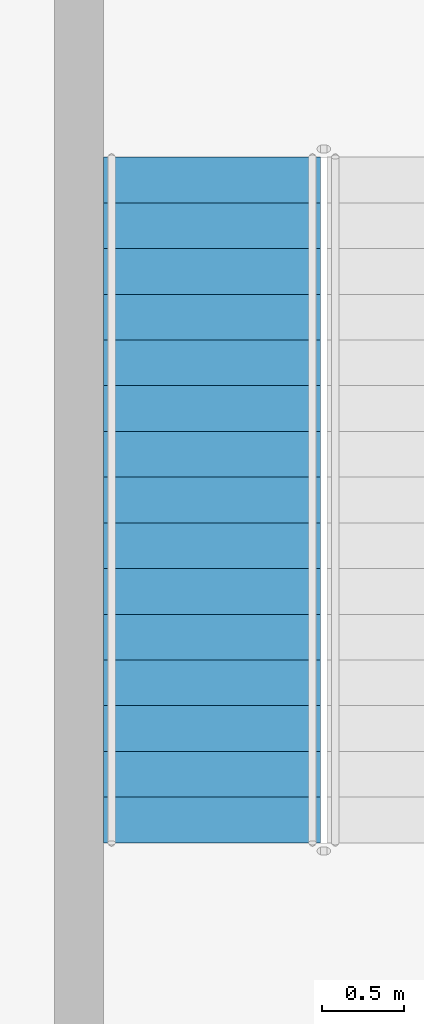
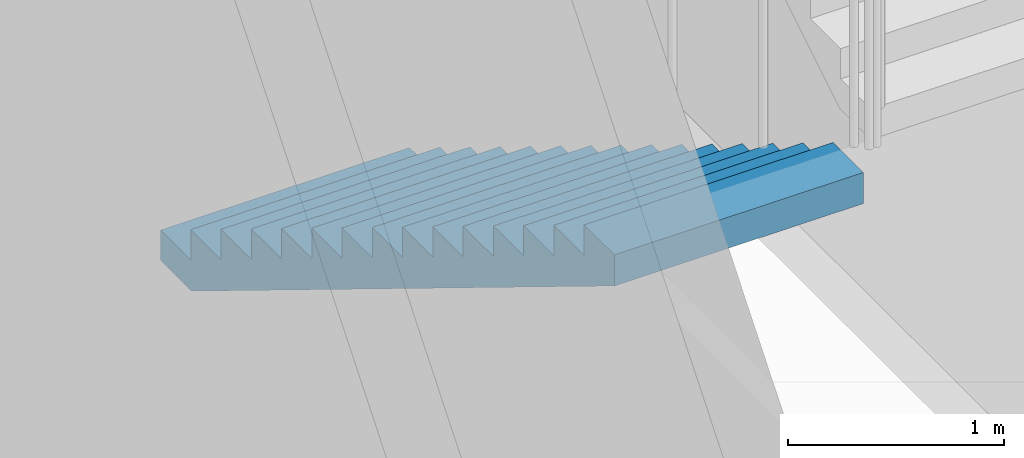
# One storey, part 5 of 14: 1 stair flight, 1 element without a shape of its own.
"""IFC4 building model written with IfcOpenShell, lengths in metres."""

from ifc_helpers import new_model, si_unit, direction, frame, origin, place, context, subcontext, project, spatial, triangles, source, transform, mapped, material, type_object, element, aggregate, save


model = new_model("IFC4")

# Units and contexts
model_context = context("Model", 3, precision=1e-05, world=origin(), true_north=direction((0.0, 1.0)))
body_context = subcontext(model_context, "Body", "Model", "MODEL_VIEW")
ifc_project = project(units=[si_unit("LENGTHUNIT", "METRE"), si_unit("AREAUNIT", "SQUARE_METRE"), si_unit("VOLUMEUNIT", "CUBIC_METRE"), si_unit("PLANEANGLEUNIT", "RADIAN"), si_unit("MASSUNIT", "GRAM", prefix="KILO")], contexts=[model_context])

# Site, building, storey
site_placement = place(None, origin())
site = spatial("IfcSite", under=ifc_project, at=site_placement, CompositionType="ELEMENT")
building_placement = place(site_placement, origin())
building = spatial("IfcBuilding", under=site, at=building_placement, Name="Ogive Portal Towers", CompositionType="ELEMENT")
storey_placement = place(building_placement, frame((0.0, 0.0, 243.89990234375)))
storey = spatial("IfcBuildingStorey", under=building, at=storey_placement, Name="L61", CompositionType="ELEMENT", Elevation=243.89990234375)

# Stair, stair flight
ifc_material = material(Name="Concrete C40/50", Category="concrete")
stair_type = type_object("IfcStairType", Name="INT-STAIR", PredefinedType="HALF_TURN_STAIR", material=ifc_material)
stair_placement = place(storey_placement, origin())
stair = element("IfcStair", 1, at=stair_placement, inside=storey, type_object=stair_type, Name="L61 Exit Stair ST-A4", PredefinedType="HALF_TURN_STAIR")
stair_flight_type = type_object("IfcStairFlightType", Name="INT-FLIGHT", PredefinedType="STRAIGHT", material=ifc_material)
shared_shape = source(origin(), body_context, "Body", "Tessellation", [
    triangles([(0.0, -0.6650390625, 0.0), (0.0, -0.384765625, 0.0), (0.0, -0.197021484375, 0.0), (0.0, -0.0830078125, 0.0), (0.0, -0.024658203125, 0.0), (0.0, -0.003173828125, 0.0), (0.0, 0.0, 0.0), (0.0, 0.003173828125, 0.0), (0.0, 0.024658203125, 0.0), (0.0, 0.0830078125, 0.0), (0.0, 0.197021484375, 0.0), (0.0, 0.384765625, 0.0), (0.0, 0.6650390625, 0.0), (0.0, -0.6650390625, 0.171875), (0.0, -0.384765625, 0.171875), (0.0, -0.197021484375, 0.171875), (0.0, -0.0830078125, 0.171875), (0.0, -0.024658203125, 0.171875), (0.0, -0.003173828125, 0.171875), (0.0, 0.0, 0.171875), (0.0, 0.003173828125, 0.171875), (0.0, 0.024658203125, 0.171875), (0.0, 0.0830078125, 0.171875), (0.0, 0.197021484375, 0.171875), (0.0, 0.384765625, 0.171875), (0.0, 0.6650390625, 0.171875), (0.280029296875, -0.6650390625, 0.171875), (0.280029296875, -0.384765625, 0.171875), (0.280029296875, -0.197021484375, 0.171875), (0.280029296875, -0.0830078125, 0.171875), (0.280029296875, -0.024658203125, 0.171875), (0.280029296875, -0.003173828125, 0.171875), (0.280029296875, 0.0, 0.171875), (0.280029296875, 0.003173828125, 0.171875), (0.280029296875, 0.024658203125, 0.171875), (0.280029296875, 0.0830078125, 0.171875), (0.280029296875, 0.197021484375, 0.171875), (0.280029296875, 0.384765625, 0.171875), (0.280029296875, 0.6650390625, 0.171875), (0.280029296875, -0.6650390625, 0.34375), (0.280029296875, -0.384765625, 0.34375), (0.280029296875, -0.197021484375, 0.34375), (0.280029296875, -0.0830078125, 0.34375), (0.280029296875, -0.024658203125, 0.34375), (0.280029296875, -0.003173828125, 0.34375), (0.280029296875, 0.0, 0.34375), (0.280029296875, 0.003173828125, 0.34375), (0.280029296875, 0.024658203125, 0.34375), (0.280029296875, 0.0830078125, 0.34375), (0.280029296875, 0.197021484375, 0.34375), (0.280029296875, 0.384765625, 0.34375), (0.280029296875, 0.6650390625, 0.34375), (0.56005859375, -0.6650390625, 0.34375), (0.56005859375, -0.384765625, 0.34375), (0.56005859375, -0.197021484375, 0.34375), (0.56005859375, -0.0830078125, 0.34375), (0.56005859375, -0.024658203125, 0.34375), (0.56005859375, -0.003173828125, 0.34375), (0.56005859375, 0.0, 0.34375), (0.56005859375, 0.003173828125, 0.34375), (0.56005859375, 0.024658203125, 0.34375), (0.56005859375, 0.0830078125, 0.34375), (0.56005859375, 0.197021484375, 0.34375), (0.56005859375, 0.384765625, 0.34375), (0.56005859375, 0.6650390625, 0.34375), (0.56005859375, -0.6650390625, 0.515625), (0.56005859375, -0.384765625, 0.515625), (0.56005859375, -0.197021484375, 0.515625), (0.56005859375, -0.0830078125, 0.515625), (0.56005859375, -0.024658203125, 0.515625), (0.56005859375, -0.003173828125, 0.515625), (0.56005859375, 0.0, 0.515625), (0.56005859375, 0.003173828125, 0.515625), (0.56005859375, 0.024658203125, 0.515625), (0.56005859375, 0.0830078125, 0.515625), (0.56005859375, 0.197021484375, 0.515625), (0.56005859375, 0.384765625, 0.515625), (0.56005859375, 0.6650390625, 0.515625), (0.840087890625, -0.6650390625, 0.515625), (0.840087890625, -0.384765625, 0.515625), (0.840087890625, -0.197021484375, 0.515625), (0.840087890625, -0.0830078125, 0.515625), (0.840087890625, -0.024658203125, 0.515625), (0.840087890625, -0.003173828125, 0.515625), (0.840087890625, 0.0, 0.515625), (0.840087890625, 0.003173828125, 0.515625), (0.840087890625, 0.024658203125, 0.515625), (0.840087890625, 0.0830078125, 0.515625), (0.840087890625, 0.197021484375, 0.515625), (0.840087890625, 0.384765625, 0.515625), (0.840087890625, 0.6650390625, 0.515625), (0.840087890625, -0.6650390625, 0.6875), (0.840087890625, -0.384765625, 0.6875), (0.840087890625, -0.197021484375, 0.6875), (0.840087890625, -0.0830078125, 0.6875), (0.840087890625, -0.024658203125, 0.6875), (0.840087890625, -0.003173828125, 0.6875), (0.840087890625, 0.0, 0.6875), (0.840087890625, 0.003173828125, 0.6875), (0.840087890625, 0.024658203125, 0.6875), (0.840087890625, 0.0830078125, 0.6875), (0.840087890625, 0.197021484375, 0.6875), (0.840087890625, 0.384765625, 0.6875), (0.840087890625, 0.6650390625, 0.6875), (1.1201171875, -0.6650390625, 0.6875), (1.1201171875, -0.384765625, 0.6875), (1.1201171875, -0.197021484375, 0.6875), (1.1201171875, -0.0830078125, 0.6875), (1.1201171875, -0.024658203125, 0.6875), (1.1201171875, -0.003173828125, 0.6875), (1.1201171875, 0.0, 0.6875), (1.1201171875, 0.003173828125, 0.6875), (1.1201171875, 0.024658203125, 0.6875), (1.1201171875, 0.0830078125, 0.6875), (1.1201171875, 0.197021484375, 0.6875), (1.1201171875, 0.384765625, 0.6875), (1.1201171875, 0.6650390625, 0.6875), (1.1201171875, -0.6650390625, 0.859375), (1.1201171875, -0.384765625, 0.859375), (1.1201171875, -0.197021484375, 0.859375), (1.1201171875, -0.0830078125, 0.859375), (1.1201171875, -0.024658203125, 0.859375), (1.1201171875, -0.003173828125, 0.859375), (1.1201171875, 0.0, 0.859375), (1.1201171875, 0.003173828125, 0.859375), (1.1201171875, 0.024658203125, 0.859375), (1.1201171875, 0.0830078125, 0.859375), (1.1201171875, 0.197021484375, 0.859375), (1.1201171875, 0.384765625, 0.859375), (1.1201171875, 0.6650390625, 0.859375), (1.39990234375, -0.6650390625, 0.859375), (1.39990234375, -0.384765625, 0.859375), (1.39990234375, -0.197021484375, 0.859375), (1.39990234375, -0.0830078125, 0.859375), (1.39990234375, -0.024658203125, 0.859375), (1.39990234375, -0.003173828125, 0.859375), (1.39990234375, 0.0, 0.859375), (1.39990234375, 0.003173828125, 0.859375), (1.39990234375, 0.024658203125, 0.859375), (1.39990234375, 0.0830078125, 0.859375), (1.39990234375, 0.197021484375, 0.859375), (1.39990234375, 0.384765625, 0.859375), (1.39990234375, 0.6650390625, 0.859375), (1.39990234375, -0.6650390625, 1.03125), (1.39990234375, -0.384765625, 1.03125), (1.39990234375, -0.197021484375, 1.03125), (1.39990234375, -0.0830078125, 1.03125), (1.39990234375, -0.024658203125, 1.03125), (1.39990234375, -0.003173828125, 1.03125), (1.39990234375, 0.0, 1.03125), (1.39990234375, 0.003173828125, 1.03125), (1.39990234375, 0.024658203125, 1.03125), (1.39990234375, 0.0830078125, 1.03125), (1.39990234375, 0.197021484375, 1.03125), (1.39990234375, 0.384765625, 1.03125), (1.39990234375, 0.6650390625, 1.03125), (1.679931640625, -0.6650390625, 1.03125), (1.679931640625, -0.384765625, 1.03125), (1.679931640625, -0.197021484375, 1.03125), (1.679931640625, -0.0830078125, 1.03125), (1.679931640625, -0.024658203125, 1.03125), (1.679931640625, -0.003173828125, 1.03125), (1.679931640625, 0.0, 1.03125), (1.679931640625, 0.003173828125, 1.03125), (1.679931640625, 0.024658203125, 1.03125), (1.679931640625, 0.0830078125, 1.03125), (1.679931640625, 0.197021484375, 1.03125), (1.679931640625, 0.384765625, 1.03125), (1.679931640625, 0.6650390625, 1.03125), (1.679931640625, -0.6650390625, 1.203125), (1.679931640625, -0.384765625, 1.203125), (1.679931640625, -0.197021484375, 1.203125), (1.679931640625, -0.0830078125, 1.203125), (1.679931640625, -0.024658203125, 1.203125), (1.679931640625, -0.003173828125, 1.203125), (1.679931640625, 0.0, 1.203125), (1.679931640625, 0.003173828125, 1.203125), (1.679931640625, 0.024658203125, 1.203125), (1.679931640625, 0.0830078125, 1.203125), (1.679931640625, 0.197021484375, 1.203125), (1.679931640625, 0.384765625, 1.203125), (1.679931640625, 0.6650390625, 1.203125), (1.9599609375, -0.6650390625, 1.203125), (1.9599609375, -0.384765625, 1.203125), (1.9599609375, -0.197021484375, 1.203125), (1.9599609375, -0.0830078125, 1.203125), (1.9599609375, -0.024658203125, 1.203125), (1.9599609375, -0.003173828125, 1.203125), (1.9599609375, 0.0, 1.203125), (1.9599609375, 0.003173828125, 1.203125), (1.9599609375, 0.024658203125, 1.203125), (1.9599609375, 0.0830078125, 1.203125), (1.9599609375, 0.197021484375, 1.203125), (1.9599609375, 0.384765625, 1.203125), (1.9599609375, 0.6650390625, 1.203125), (1.9599609375, -0.6650390625, 1.375), (1.9599609375, -0.384765625, 1.375), (1.9599609375, -0.197021484375, 1.375), (1.9599609375, -0.0830078125, 1.375), (1.9599609375, -0.024658203125, 1.375), (1.9599609375, -0.003173828125, 1.375), (1.9599609375, 0.0, 1.375), (1.9599609375, 0.003173828125, 1.375), (1.9599609375, 0.024658203125, 1.375), (1.9599609375, 0.0830078125, 1.375), (1.9599609375, 0.197021484375, 1.375), (1.9599609375, 0.384765625, 1.375), (1.9599609375, 0.6650390625, 1.375), (2.239990234375, -0.6650390625, 1.375), (2.239990234375, -0.384765625, 1.375), (2.239990234375, -0.197021484375, 1.375), (2.239990234375, -0.0830078125, 1.375), (2.239990234375, -0.024658203125, 1.375), (2.239990234375, -0.003173828125, 1.375), (2.239990234375, 0.0, 1.375), (2.239990234375, 0.003173828125, 1.375), (2.239990234375, 0.024658203125, 1.375), (2.239990234375, 0.0830078125, 1.375), (2.239990234375, 0.197021484375, 1.375), (2.239990234375, 0.384765625, 1.375), (2.239990234375, 0.6650390625, 1.375), (2.239990234375, -0.6650390625, 1.546875), (2.239990234375, -0.384765625, 1.546875), (2.239990234375, -0.197021484375, 1.546875), (2.239990234375, -0.0830078125, 1.546875), (2.239990234375, -0.024658203125, 1.546875), (2.239990234375, -0.003173828125, 1.546875), (2.239990234375, 0.0, 1.546875), (2.239990234375, 0.003173828125, 1.546875), (2.239990234375, 0.024658203125, 1.546875), (2.239990234375, 0.0830078125, 1.546875), (2.239990234375, 0.197021484375, 1.546875), (2.239990234375, 0.384765625, 1.546875), (2.239990234375, 0.6650390625, 1.546875), (2.52001953125, -0.6650390625, 1.546875), (2.52001953125, -0.384765625, 1.546875), (2.52001953125, -0.197021484375, 1.546875), (2.52001953125, -0.0830078125, 1.546875), (2.52001953125, -0.024658203125, 1.546875), (2.52001953125, -0.003173828125, 1.546875), (2.52001953125, 0.0, 1.546875), (2.52001953125, 0.003173828125, 1.546875), (2.52001953125, 0.024658203125, 1.546875), (2.52001953125, 0.0830078125, 1.546875), (2.52001953125, 0.197021484375, 1.546875), (2.52001953125, 0.384765625, 1.546875), (2.52001953125, 0.6650390625, 1.546875), (2.52001953125, -0.6650390625, 1.71875), (2.52001953125, -0.384765625, 1.71875), (2.52001953125, -0.197021484375, 1.71875), (2.52001953125, -0.0830078125, 1.71875), (2.52001953125, -0.024658203125, 1.71875), (2.52001953125, -0.003173828125, 1.71875), (2.52001953125, 0.0, 1.71875), (2.52001953125, 0.003173828125, 1.71875), (2.52001953125, 0.024658203125, 1.71875), (2.52001953125, 0.0830078125, 1.71875), (2.52001953125, 0.197021484375, 1.71875), (2.52001953125, 0.384765625, 1.71875), (2.52001953125, 0.6650390625, 1.71875), (2.800048828125, -0.6650390625, 1.71875), (2.800048828125, -0.384765625, 1.71875), (2.800048828125, -0.197021484375, 1.71875), (2.800048828125, -0.0830078125, 1.71875), (2.800048828125, -0.024658203125, 1.71875), (2.800048828125, -0.003173828125, 1.71875), (2.800048828125, 0.0, 1.71875), (2.800048828125, 0.003173828125, 1.71875), (2.800048828125, 0.024658203125, 1.71875), (2.800048828125, 0.0830078125, 1.71875), (2.800048828125, 0.197021484375, 1.71875), (2.800048828125, 0.384765625, 1.71875), (2.800048828125, 0.6650390625, 1.71875), (2.800048828125, -0.6650390625, 1.890625), (2.800048828125, -0.384765625, 1.890625), (2.800048828125, -0.197021484375, 1.890625), (2.800048828125, -0.0830078125, 1.890625), (2.800048828125, -0.024658203125, 1.890625), (2.800048828125, -0.003173828125, 1.890625), (2.800048828125, 0.0, 1.890625), (2.800048828125, 0.003173828125, 1.890625), (2.800048828125, 0.024658203125, 1.890625), (2.800048828125, 0.0830078125, 1.890625), (2.800048828125, 0.197021484375, 1.890625), (2.800048828125, 0.384765625, 1.890625), (2.800048828125, 0.6650390625, 1.890625), (3.080078125, -0.6650390625, 1.890625), (3.080078125, -0.384765625, 1.890625), (3.080078125, -0.197021484375, 1.890625), (3.080078125, -0.0830078125, 1.890625), (3.080078125, -0.024658203125, 1.890625), (3.080078125, -0.003173828125, 1.890625), (3.080078125, 0.0, 1.890625), (3.080078125, 0.003173828125, 1.890625), (3.080078125, 0.024658203125, 1.890625), (3.080078125, 0.0830078125, 1.890625), (3.080078125, 0.197021484375, 1.890625), (3.080078125, 0.384765625, 1.890625), (3.080078125, 0.6650390625, 1.890625), (3.080078125, -0.6650390625, 2.0625), (3.080078125, -0.384765625, 2.0625), (3.080078125, -0.197021484375, 2.0625), (3.080078125, -0.0830078125, 2.0625), (3.080078125, -0.024658203125, 2.0625), (3.080078125, -0.003173828125, 2.0625), (3.080078125, 0.0, 2.0625), (3.080078125, 0.003173828125, 2.0625), (3.080078125, 0.024658203125, 2.0625), (3.080078125, 0.0830078125, 2.0625), (3.080078125, 0.197021484375, 2.0625), (3.080078125, 0.384765625, 2.0625), (3.080078125, 0.6650390625, 2.0625), (3.360107421875, -0.6650390625, 2.0625), (3.360107421875, -0.384765625, 2.0625), (3.360107421875, -0.197021484375, 2.0625), (3.360107421875, -0.0830078125, 2.0625), (3.360107421875, -0.024658203125, 2.0625), (3.360107421875, -0.003173828125, 2.0625), (3.360107421875, 0.0, 2.0625), (3.360107421875, 0.003173828125, 2.0625), (3.360107421875, 0.024658203125, 2.0625), (3.360107421875, 0.0830078125, 2.0625), (3.360107421875, 0.197021484375, 2.0625), (3.360107421875, 0.384765625, 2.0625), (3.360107421875, 0.6650390625, 2.0625), (3.360107421875, -0.6650390625, 2.234375), (3.360107421875, -0.384765625, 2.234375), (3.360107421875, -0.197021484375, 2.234375), (3.360107421875, -0.0830078125, 2.234375), (3.360107421875, -0.024658203125, 2.234375), (3.360107421875, -0.003173828125, 2.234375), (3.360107421875, 0.0, 2.234375), (3.360107421875, 0.003173828125, 2.234375), (3.360107421875, 0.024658203125, 2.234375), (3.360107421875, 0.0830078125, 2.234375), (3.360107421875, 0.197021484375, 2.234375), (3.360107421875, 0.384765625, 2.234375), (3.360107421875, 0.6650390625, 2.234375), (3.639892578125, -0.6650390625, 2.234375), (3.639892578125, -0.384765625, 2.234375), (3.639892578125, -0.197021484375, 2.234375), (3.639892578125, -0.0830078125, 2.234375), (3.639892578125, -0.024658203125, 2.234375), (3.639892578125, -0.003173828125, 2.234375), (3.639892578125, 0.0, 2.234375), (3.639892578125, 0.003173828125, 2.234375), (3.639892578125, 0.024658203125, 2.234375), (3.639892578125, 0.0830078125, 2.234375), (3.639892578125, 0.197021484375, 2.234375), (3.639892578125, 0.384765625, 2.234375), (3.639892578125, 0.6650390625, 2.234375), (3.639892578125, -0.6650390625, 2.40625), (3.639892578125, -0.384765625, 2.40625), (3.639892578125, -0.197021484375, 2.40625), (3.639892578125, -0.0830078125, 2.40625), (3.639892578125, -0.024658203125, 2.40625), (3.639892578125, -0.003173828125, 2.40625), (3.639892578125, 0.0, 2.40625), (3.639892578125, 0.003173828125, 2.40625), (3.639892578125, 0.024658203125, 2.40625), (3.639892578125, 0.0830078125, 2.40625), (3.639892578125, 0.197021484375, 2.40625), (3.639892578125, 0.384765625, 2.40625), (3.639892578125, 0.6650390625, 2.40625), (3.919921875, -0.6650390625, 2.40625), (3.919921875, -0.384765625, 2.40625), (3.919921875, -0.197021484375, 2.40625), (3.919921875, -0.0830078125, 2.40625), (3.919921875, -0.024658203125, 2.40625), (3.919921875, -0.003173828125, 2.40625), (3.919921875, 0.0, 2.40625), (3.919921875, 0.003173828125, 2.40625), (3.919921875, 0.024658203125, 2.40625), (3.919921875, 0.0830078125, 2.40625), (3.919921875, 0.197021484375, 2.40625), (3.919921875, 0.384765625, 2.40625), (3.919921875, 0.6650390625, 2.40625), (3.919921875, -0.6650390625, 2.578125), (3.919921875, -0.384765625, 2.578125), (3.919921875, -0.197021484375, 2.578125), (3.919921875, -0.0830078125, 2.578125), (3.919921875, -0.024658203125, 2.578125), (3.919921875, -0.003173828125, 2.578125), (3.919921875, 0.0, 2.578125), (3.919921875, 0.003173828125, 2.578125), (3.919921875, 0.024658203125, 2.578125), (3.919921875, 0.0830078125, 2.578125), (3.919921875, 0.197021484375, 2.578125), (3.919921875, 0.384765625, 2.578125), (3.919921875, 0.6650390625, 2.578125), (4.199951171875, -0.6650390625, 2.578125), (4.199951171875, -0.384765625, 2.578125), (4.199951171875, -0.197021484375, 2.578125), (4.199951171875, -0.0830078125, 2.578125), (4.199951171875, -0.024658203125, 2.578125), (4.199951171875, -0.003173828125, 2.578125), (4.199951171875, 0.0, 2.578125), (4.199951171875, 0.003173828125, 2.578125), (4.199951171875, 0.024658203125, 2.578125), (4.199951171875, 0.0830078125, 2.578125), (4.199951171875, 0.197021484375, 2.578125), (4.199951171875, 0.384765625, 2.578125), (4.199951171875, 0.6650390625, 2.578125), (4.199951171875, -0.6650390625, 2.40234375), (4.199951171875, -0.384765625, 2.40234375), (4.199951171875, -0.197021484375, 2.40234375), (4.199951171875, -0.0830078125, 2.40234375), (4.199951171875, -0.024658203125, 2.40234375), (4.199951171875, -0.003173828125, 2.40234375), (4.199951171875, 0.0, 2.40234375), (4.199951171875, 0.003173828125, 2.40234375), (4.199951171875, 0.024658203125, 2.40234375), (4.199951171875, 0.0830078125, 2.40234375), (4.199951171875, 0.197021484375, 2.40234375), (4.199951171875, 0.384765625, 2.40234375), (4.199951171875, 0.6650390625, 2.40234375), (0.28662109375, -0.6650390625, 0.0), (0.28662109375, -0.384765625, 0.0), (0.28662109375, -0.197021484375, 0.0), (0.28662109375, -0.0830078125, 0.0), (0.28662109375, -0.024658203125, 0.0), (0.28662109375, -0.003173828125, 0.0), (0.28662109375, 0.0, 0.0), (0.28662109375, 0.003173828125, 0.0), (0.28662109375, 0.024658203125, 0.0), (0.28662109375, 0.0830078125, 0.0), (0.28662109375, 0.197021484375, 0.0), (0.28662109375, 0.384765625, 0.0), (0.28662109375, 0.6650390625, 0.0)], [[1, 14, 15], [1, 15, 2], [2, 15, 16], [2, 16, 3], [3, 16, 17], [3, 17, 4], [4, 17, 18], [4, 18, 5], [5, 18, 19], [5, 19, 6], [6, 19, 20], [6, 20, 7], [7, 20, 21], [7, 21, 8], [8, 21, 22], [8, 22, 9], [9, 22, 23], [9, 23, 10], [10, 23, 24], [10, 24, 11], [11, 24, 25], [11, 25, 12], [12, 25, 26], [12, 26, 13], [14, 27, 28], [14, 28, 15], [15, 28, 29], [15, 29, 16], [16, 29, 30], [16, 30, 17], [17, 30, 31], [17, 31, 18], [18, 31, 32], [18, 32, 19], [19, 32, 33], [19, 33, 20], [20, 33, 34], [20, 34, 21], [21, 34, 35], [21, 35, 22], [22, 35, 36], [22, 36, 23], [23, 36, 37], [23, 37, 24], [24, 37, 38], [24, 38, 25], [25, 38, 39], [25, 39, 26], [27, 40, 41], [27, 41, 28], [28, 41, 42], [28, 42, 29], [29, 42, 43], [29, 43, 30], [30, 43, 44], [30, 44, 31], [31, 44, 45], [31, 45, 32], [32, 45, 46], [32, 46, 33], [33, 46, 47], [33, 47, 34], [34, 47, 48], [34, 48, 35], [35, 48, 49], [35, 49, 36], [36, 49, 50], [36, 50, 37], [37, 50, 51], [37, 51, 38], [38, 51, 52], [38, 52, 39], [40, 53, 54], [40, 54, 41], [41, 54, 55], [41, 55, 42], [42, 55, 56], [42, 56, 43], [43, 56, 57], [43, 57, 44], [44, 57, 58], [44, 58, 45], [45, 58, 59], [45, 59, 46], [46, 59, 60], [46, 60, 47], [47, 60, 61], [47, 61, 48], [48, 61, 62], [48, 62, 49], [49, 62, 63], [49, 63, 50], [50, 63, 64], [50, 64, 51], [51, 64, 65], [51, 65, 52], [53, 66, 67], [53, 67, 54], [54, 67, 68], [54, 68, 55], [55, 68, 69], [55, 69, 56], [56, 69, 70], [56, 70, 57], [57, 70, 71], [57, 71, 58], [58, 71, 72], [58, 72, 59], [59, 72, 73], [59, 73, 60], [60, 73, 74], [60, 74, 61], [61, 74, 75], [61, 75, 62], [62, 75, 76], [62, 76, 63], [63, 76, 77], [63, 77, 64], [64, 77, 78], [64, 78, 65], [66, 79, 80], [66, 80, 67], [67, 80, 81], [67, 81, 68], [68, 81, 82], [68, 82, 69], [69, 82, 83], [69, 83, 70], [70, 83, 84], [70, 84, 71], [71, 84, 85], [71, 85, 72], [72, 85, 86], [72, 86, 73], [73, 86, 87], [73, 87, 74], [74, 87, 88], [74, 88, 75], [75, 88, 89], [75, 89, 76], [76, 89, 90], [76, 90, 77], [77, 90, 91], [77, 91, 78], [79, 92, 93], [79, 93, 80], [80, 93, 94], [80, 94, 81], [81, 94, 95], [81, 95, 82], [82, 95, 96], [82, 96, 83], [83, 96, 97], [83, 97, 84], [84, 97, 98], [84, 98, 85], [85, 98, 99], [85, 99, 86], [86, 99, 100], [86, 100, 87], [87, 100, 101], [87, 101, 88], [88, 101, 102], [88, 102, 89], [89, 102, 103], [89, 103, 90], [90, 103, 104], [90, 104, 91], [92, 105, 106], [92, 106, 93], [93, 106, 107], [93, 107, 94], [94, 107, 108], [94, 108, 95], [95, 108, 109], [95, 109, 96], [96, 109, 110], [96, 110, 97], [97, 110, 111], [97, 111, 98], [98, 111, 112], [98, 112, 99], [99, 112, 113], [99, 113, 100], [100, 113, 114], [100, 114, 101], [101, 114, 115], [101, 115, 102], [102, 115, 116], [102, 116, 103], [103, 116, 117], [103, 117, 104], [105, 118, 119], [105, 119, 106], [106, 119, 120], [106, 120, 107], [107, 120, 121], [107, 121, 108], [108, 121, 122], [108, 122, 109], [109, 122, 123], [109, 123, 110], [110, 123, 124], [110, 124, 111], [111, 124, 125], [111, 125, 112], [112, 125, 126], [112, 126, 113], [113, 126, 127], [113, 127, 114], [114, 127, 128], [114, 128, 115], [115, 128, 129], [115, 129, 116], [116, 129, 130], [116, 130, 117], [118, 131, 132], [118, 132, 119], [119, 132, 133], [119, 133, 120], [120, 133, 134], [120, 134, 121], [121, 134, 135], [121, 135, 122], [122, 135, 136], [122, 136, 123], [123, 136, 137], [123, 137, 124], [124, 137, 138], [124, 138, 125], [125, 138, 139], [125, 139, 126], [126, 139, 140], [126, 140, 127], [127, 140, 141], [127, 141, 128], [128, 141, 142], [128, 142, 129], [129, 142, 143], [129, 143, 130], [131, 144, 145], [131, 145, 132], [132, 145, 146], [132, 146, 133], [133, 146, 147], [133, 147, 134], [134, 147, 148], [134, 148, 135], [135, 148, 149], [135, 149, 136], [136, 149, 150], [136, 150, 137], [137, 150, 151], [137, 151, 138], [138, 151, 152], [138, 152, 139], [139, 152, 153], [139, 153, 140], [140, 153, 154], [140, 154, 141], [141, 154, 155], [141, 155, 142], [142, 155, 156], [142, 156, 143], [144, 157, 158], [144, 158, 145], [145, 158, 159], [145, 159, 146], [146, 159, 160], [146, 160, 147], [147, 160, 161], [147, 161, 148], [148, 161, 162], [148, 162, 149], [149, 162, 163], [149, 163, 150], [150, 163, 164], [150, 164, 151], [151, 164, 165], [151, 165, 152], [152, 165, 166], [152, 166, 153], [153, 166, 167], [153, 167, 154], [154, 167, 168], [154, 168, 155], [155, 168, 169], [155, 169, 156], [157, 170, 171], [157, 171, 158], [158, 171, 172], [158, 172, 159], [159, 172, 173], [159, 173, 160], [160, 173, 174], [160, 174, 161], [161, 174, 175], [161, 175, 162], [162, 175, 176], [162, 176, 163], [163, 176, 177], [163, 177, 164], [164, 177, 178], [164, 178, 165], [165, 178, 179], [165, 179, 166], [166, 179, 180], [166, 180, 167], [167, 180, 181], [167, 181, 168], [168, 181, 182], [168, 182, 169], [170, 183, 184], [170, 184, 171], [171, 184, 185], [171, 185, 172], [172, 185, 186], [172, 186, 173], [173, 186, 187], [173, 187, 174], [174, 187, 188], [174, 188, 175], [175, 188, 189], [175, 189, 176], [176, 189, 190], [176, 190, 177], [177, 190, 191], [177, 191, 178], [178, 191, 192], [178, 192, 179], [179, 192, 193], [179, 193, 180], [180, 193, 194], [180, 194, 181], [181, 194, 195], [181, 195, 182], [183, 196, 197], [183, 197, 184], [184, 197, 198], [184, 198, 185], [185, 198, 199], [185, 199, 186], [186, 199, 200], [186, 200, 187], [187, 200, 201], [187, 201, 188], [188, 201, 202], [188, 202, 189], [189, 202, 203], [189, 203, 190], [190, 203, 204], [190, 204, 191], [191, 204, 205], [191, 205, 192], [192, 205, 206], [192, 206, 193], [193, 206, 207], [193, 207, 194], [194, 207, 208], [194, 208, 195], [196, 209, 210], [196, 210, 197], [197, 210, 211], [197, 211, 198], [198, 211, 212], [198, 212, 199], [199, 212, 213], [199, 213, 200], [200, 213, 214], [200, 214, 201], [201, 214, 215], [201, 215, 202], [202, 215, 216], [202, 216, 203], [203, 216, 217], [203, 217, 204], [204, 217, 218], [204, 218, 205], [205, 218, 219], [205, 219, 206], [206, 219, 220], [206, 220, 207], [207, 220, 221], [207, 221, 208], [209, 222, 223], [209, 223, 210], [210, 223, 224], [210, 224, 211], [211, 224, 225], [211, 225, 212], [212, 225, 226], [212, 226, 213], [213, 226, 227], [213, 227, 214], [214, 227, 228], [214, 228, 215], [215, 228, 229], [215, 229, 216], [216, 229, 230], [216, 230, 217], [217, 230, 231], [217, 231, 218], [218, 231, 232], [218, 232, 219], [219, 232, 233], [219, 233, 220], [220, 233, 234], [220, 234, 221], [222, 235, 236], [222, 236, 223], [223, 236, 237], [223, 237, 224], [224, 237, 238], [224, 238, 225], [225, 238, 239], [225, 239, 226], [226, 239, 240], [226, 240, 227], [227, 240, 241], [227, 241, 228], [228, 241, 242], [228, 242, 229], [229, 242, 243], [229, 243, 230], [230, 243, 244], [230, 244, 231], [231, 244, 245], [231, 245, 232], [232, 245, 246], [232, 246, 233], [233, 246, 247], [233, 247, 234], [235, 248, 249], [235, 249, 236], [236, 249, 250], [236, 250, 237], [237, 250, 251], [237, 251, 238], [238, 251, 252], [238, 252, 239], [239, 252, 253], [239, 253, 240], [240, 253, 254], [240, 254, 241], [241, 254, 255], [241, 255, 242], [242, 255, 256], [242, 256, 243], [243, 256, 257], [243, 257, 244], [244, 257, 258], [244, 258, 245], [245, 258, 259], [245, 259, 246], [246, 259, 260], [246, 260, 247], [248, 261, 262], [248, 262, 249], [249, 262, 263], [249, 263, 250], [250, 263, 264], [250, 264, 251], [251, 264, 265], [251, 265, 252], [252, 265, 266], [252, 266, 253], [253, 266, 267], [253, 267, 254], [254, 267, 268], [254, 268, 255], [255, 268, 269], [255, 269, 256], [256, 269, 270], [256, 270, 257], [257, 270, 271], [257, 271, 258], [258, 271, 272], [258, 272, 259], [259, 272, 273], [259, 273, 260], [261, 274, 275], [261, 275, 262], [262, 275, 276], [262, 276, 263], [263, 276, 277], [263, 277, 264], [264, 277, 278], [264, 278, 265], [265, 278, 279], [265, 279, 266], [266, 279, 280], [266, 280, 267], [267, 280, 281], [267, 281, 268], [268, 281, 282], [268, 282, 269], [269, 282, 283], [269, 283, 270], [270, 283, 284], [270, 284, 271], [271, 284, 285], [271, 285, 272], [272, 285, 286], [272, 286, 273], [274, 287, 288], [274, 288, 275], [275, 288, 289], [275, 289, 276], [276, 289, 290], [276, 290, 277], [277, 290, 291], [277, 291, 278], [278, 291, 292], [278, 292, 279], [279, 292, 293], [279, 293, 280], [280, 293, 294], [280, 294, 281], [281, 294, 295], [281, 295, 282], [282, 295, 296], [282, 296, 283], [283, 296, 297], [283, 297, 284], [284, 297, 298], [284, 298, 285], [285, 298, 299], [285, 299, 286], [287, 300, 301], [287, 301, 288], [288, 301, 302], [288, 302, 289], [289, 302, 303], [289, 303, 290], [290, 303, 304], [290, 304, 291], [291, 304, 305], [291, 305, 292], [292, 305, 306], [292, 306, 293], [293, 306, 307], [293, 307, 294], [294, 307, 308], [294, 308, 295], [295, 308, 309], [295, 309, 296], [296, 309, 310], [296, 310, 297], [297, 310, 311], [297, 311, 298], [298, 311, 312], [298, 312, 299], [300, 313, 314], [300, 314, 301], [301, 314, 315], [301, 315, 302], [302, 315, 316], [302, 316, 303], [303, 316, 317], [303, 317, 304], [304, 317, 318], [304, 318, 305], [305, 318, 319], [305, 319, 306], [306, 319, 320], [306, 320, 307], [307, 320, 321], [307, 321, 308], [308, 321, 322], [308, 322, 309], [309, 322, 323], [309, 323, 310], [310, 323, 324], [310, 324, 311], [311, 324, 325], [311, 325, 312], [313, 326, 327], [313, 327, 314], [314, 327, 328], [314, 328, 315], [315, 328, 329], [315, 329, 316], [316, 329, 330], [316, 330, 317], [317, 330, 331], [317, 331, 318], [318, 331, 332], [318, 332, 319], [319, 332, 333], [319, 333, 320], [320, 333, 334], [320, 334, 321], [321, 334, 335], [321, 335, 322], [322, 335, 336], [322, 336, 323], [323, 336, 337], [323, 337, 324], [324, 337, 338], [324, 338, 325], [326, 339, 340], [326, 340, 327], [327, 340, 341], [327, 341, 328], [328, 341, 342], [328, 342, 329], [329, 342, 343], [329, 343, 330], [330, 343, 344], [330, 344, 331], [331, 344, 345], [331, 345, 332], [332, 345, 346], [332, 346, 333], [333, 346, 347], [333, 347, 334], [334, 347, 348], [334, 348, 335], [335, 348, 349], [335, 349, 336], [336, 349, 350], [336, 350, 337], [337, 350, 351], [337, 351, 338], [339, 352, 353], [339, 353, 340], [340, 353, 354], [340, 354, 341], [341, 354, 355], [341, 355, 342], [342, 355, 356], [342, 356, 343], [343, 356, 357], [343, 357, 344], [344, 357, 358], [344, 358, 345], [345, 358, 359], [345, 359, 346], [346, 359, 360], [346, 360, 347], [347, 360, 361], [347, 361, 348], [348, 361, 362], [348, 362, 349], [349, 362, 363], [349, 363, 350], [350, 363, 364], [350, 364, 351], [352, 365, 366], [352, 366, 353], [353, 366, 367], [353, 367, 354], [354, 367, 368], [354, 368, 355], [355, 368, 369], [355, 369, 356], [356, 369, 370], [356, 370, 357], [357, 370, 371], [357, 371, 358], [358, 371, 372], [358, 372, 359], [359, 372, 373], [359, 373, 360], [360, 373, 374], [360, 374, 361], [361, 374, 375], [361, 375, 362], [362, 375, 376], [362, 376, 363], [363, 376, 377], [363, 377, 364], [365, 378, 379], [365, 379, 366], [366, 379, 380], [366, 380, 367], [367, 380, 381], [367, 381, 368], [368, 381, 382], [368, 382, 369], [369, 382, 383], [369, 383, 370], [370, 383, 384], [370, 384, 371], [371, 384, 385], [371, 385, 372], [372, 385, 386], [372, 386, 373], [373, 386, 387], [373, 387, 374], [374, 387, 388], [374, 388, 375], [375, 388, 389], [375, 389, 376], [376, 389, 390], [376, 390, 377], [378, 391, 392], [378, 392, 379], [379, 392, 393], [379, 393, 380], [380, 393, 394], [380, 394, 381], [381, 394, 395], [381, 395, 382], [382, 395, 396], [382, 396, 383], [383, 396, 397], [383, 397, 384], [384, 397, 398], [384, 398, 385], [385, 398, 399], [385, 399, 386], [386, 399, 400], [386, 400, 387], [387, 400, 401], [387, 401, 388], [388, 401, 402], [388, 402, 389], [389, 402, 403], [389, 403, 390], [391, 404, 405], [391, 405, 392], [392, 405, 406], [392, 406, 393], [393, 406, 407], [393, 407, 394], [394, 407, 408], [394, 408, 395], [395, 408, 409], [395, 409, 396], [396, 409, 410], [396, 410, 397], [397, 410, 411], [397, 411, 398], [398, 411, 412], [398, 412, 399], [399, 412, 413], [399, 413, 400], [400, 413, 414], [400, 414, 401], [401, 414, 415], [401, 415, 402], [402, 415, 416], [402, 416, 403], [404, 417, 418], [404, 418, 405], [405, 418, 419], [405, 419, 406], [406, 419, 420], [406, 420, 407], [407, 420, 421], [407, 421, 408], [408, 421, 422], [408, 422, 409], [409, 422, 423], [409, 423, 410], [410, 423, 424], [410, 424, 411], [411, 424, 425], [411, 425, 412], [412, 425, 426], [412, 426, 413], [413, 426, 427], [413, 427, 414], [414, 427, 428], [414, 428, 415], [415, 428, 429], [415, 429, 416], [417, 1, 2], [417, 2, 418], [418, 2, 3], [418, 3, 419], [419, 3, 4], [419, 4, 420], [420, 4, 5], [420, 5, 421], [421, 5, 6], [421, 6, 422], [422, 6, 7], [422, 7, 423], [423, 7, 8], [423, 8, 424], [424, 8, 9], [424, 9, 425], [425, 9, 10], [425, 10, 426], [426, 10, 11], [426, 11, 427], [427, 11, 12], [427, 12, 428], [428, 12, 13], [428, 13, 429], [1, 417, 404], [13, 416, 429], [404, 391, 378], [416, 390, 403], [404, 378, 365], [416, 377, 390], [404, 365, 352], [416, 364, 377], [404, 352, 339], [416, 351, 364], [339, 326, 313], [351, 325, 338], [404, 339, 313], [416, 325, 351], [313, 300, 287], [325, 299, 312], [404, 313, 287], [416, 299, 325], [287, 274, 261], [299, 273, 286], [404, 287, 261], [416, 273, 299], [261, 248, 235], [273, 247, 260], [404, 261, 235], [416, 247, 273], [235, 222, 209], [247, 221, 234], [404, 235, 209], [416, 221, 247], [209, 196, 183], [221, 195, 208], [404, 209, 183], [416, 195, 221], [183, 170, 157], [195, 169, 182], [404, 183, 157], [416, 169, 195], [157, 144, 131], [169, 143, 156], [404, 157, 131], [416, 143, 169], [131, 118, 105], [143, 117, 130], [404, 131, 105], [416, 117, 143], [105, 92, 79], [117, 91, 104], [404, 105, 79], [416, 91, 117], [79, 66, 53], [91, 65, 78], [404, 79, 53], [416, 65, 91], [53, 40, 27], [65, 39, 52], [404, 53, 27], [416, 39, 65], [1, 404, 27], [13, 39, 416], [27, 14, 1], [39, 13, 26]], closed=True),
])
stair_flight_placement = place(storey_placement, frame((87.6650390625, 29.169921875, 0.0), z_axis=(0.0, 0.0, 1.0), x_axis=(0.0, -1.0, 0.0)))
stair_flight = element("IfcStairFlight", 2, at=stair_flight_placement, type_object=stair_flight_type, Name="ST-A4 flight 1", NumberOfRisers=16, NumberOfTreads=15, PredefinedType="STRAIGHT", RiserHeight=0.171875, TreadLength=0.28, context=body_context, shape_type="MappedRepresentation", body=[
    mapped(shared_shape, transform((0.0, 0.0, 0.0), scale=1.0)),
])
aggregate(stair, [stair_flight])

save(model, "model.ifc")
